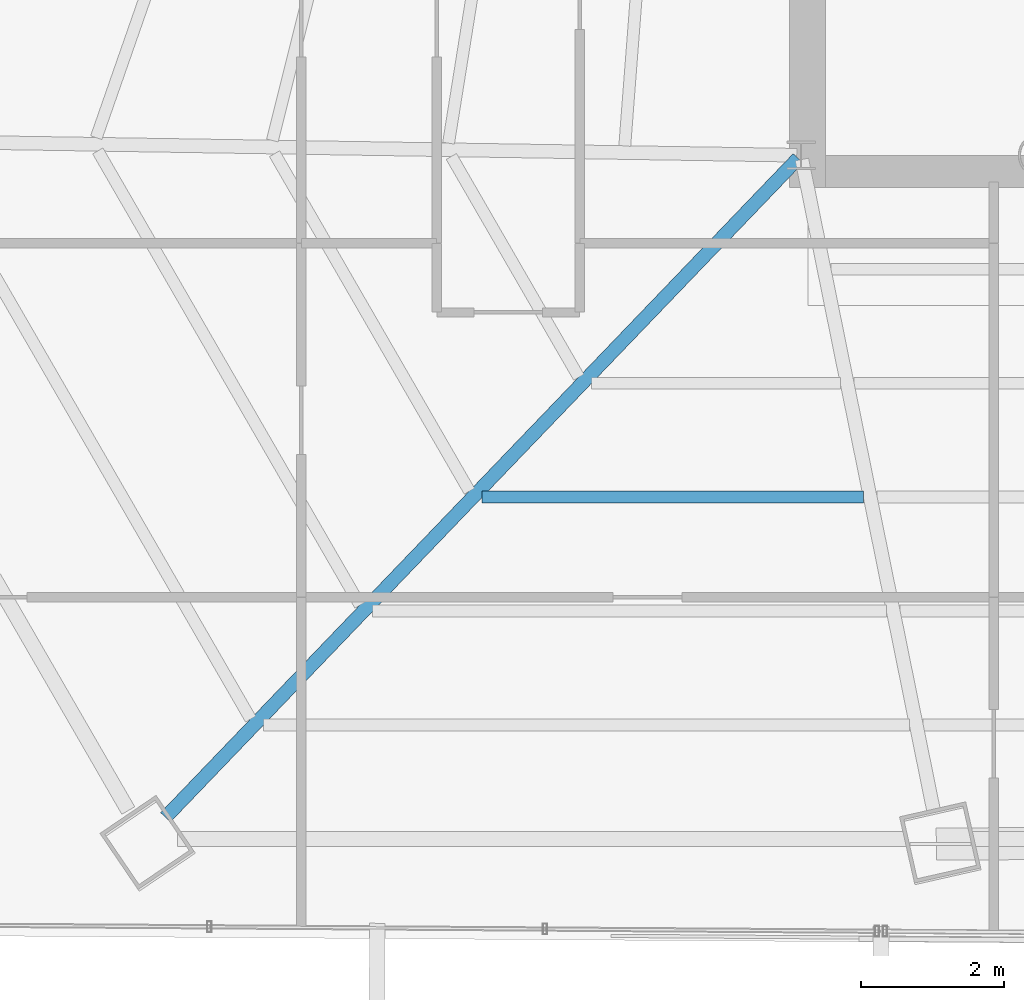
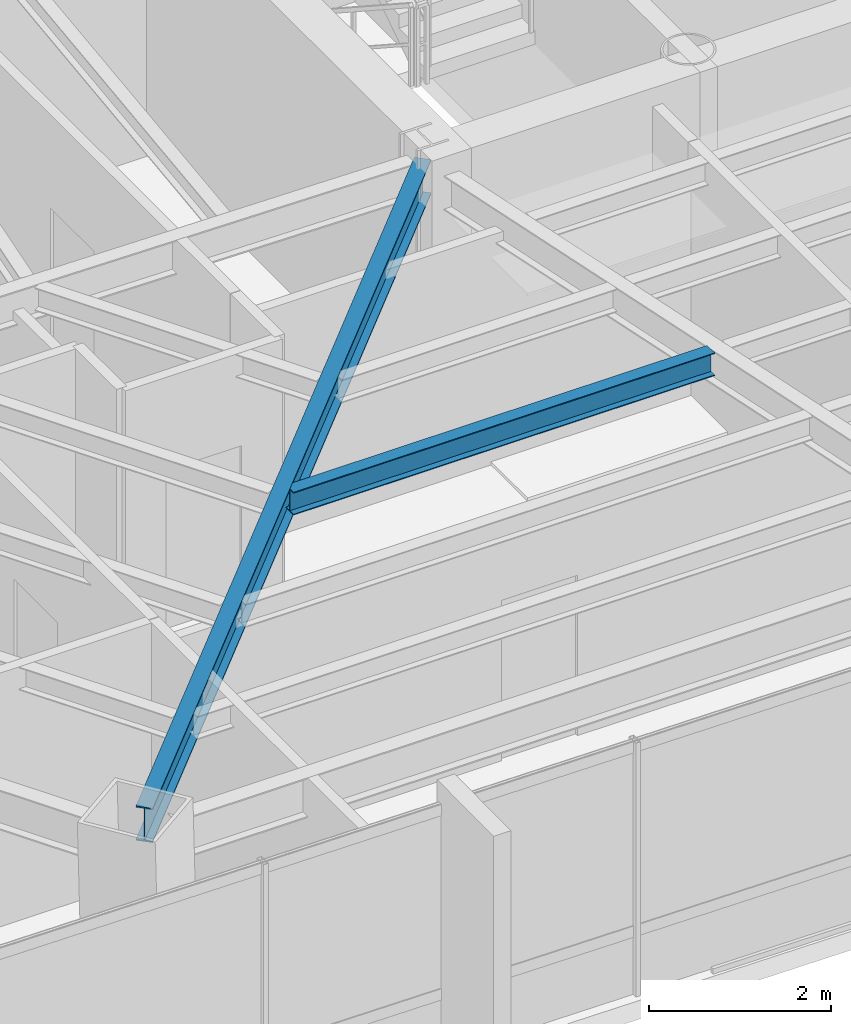
# One storey, part 5 of 40: 2 beams.
"""IFC4 building model written with IfcOpenShell, lengths in metres."""

from ifc_helpers import new_model, si_unit, direction, frame, origin, origin_2d, place, context, subcontext, project, spatial, i_section, extrude, source, transform, mapped, material, material_profile, profile_set, type_object, type_shapes, element, save


model = new_model("IFC4")

# Units and contexts
model_context = context("Model", 3, precision=1e-05, world=origin(), true_north=direction((0.0, 1.0)))
body_context = subcontext(model_context, "Body", "Model", "MODEL_VIEW")
ifc_project = project(units=[si_unit("LENGTHUNIT", "METRE"), si_unit("AREAUNIT", "SQUARE_METRE"), si_unit("VOLUMEUNIT", "CUBIC_METRE"), si_unit("PLANEANGLEUNIT", "RADIAN"), si_unit("MASSUNIT", "GRAM", prefix="KILO")], contexts=[model_context])

# Site, building, storey
site_placement = place(None, origin())
site = spatial("IfcSite", under=ifc_project, at=site_placement, CompositionType="ELEMENT")
building_placement = place(site_placement, origin())
building = spatial("IfcBuilding", under=site, at=building_placement, Name="Caelisora Broadcast Tower", CompositionType="ELEMENT")
storey_placement = place(building_placement, frame((0.0, 0.0, 176.75)))
storey = spatial("IfcBuildingStorey", under=building, at=storey_placement, Name="L46", CompositionType="ELEMENT", Elevation=176.75)

# Beams
ifc_material = material(Name="Steel Grade 350 (AS/NZS 3679.1)", Category="steel")
ifc_material_profile_1 = material_profile(ifc_material, i_section(OverallWidth=0.19091796875, OverallDepth=0.46044921875, WebThickness=0.010009765625, FlangeThickness=0.01611328125, at=origin_2d()), Name="Steel Grade 350 (AS/NZS 3679.1)")
ifc_profile_set_1 = profile_set([ifc_material_profile_1], Name="Steel Grade 350 (AS/NZS 3679.1)")
beam_type_1 = type_object("IfcBeamType", Name="PG06", PredefinedType="BEAM", material=ifc_profile_set_1)
shared_shape_1 = source(origin(), body_context, "Body", "SweptSolid", [
    extrude(i_section(OverallWidth=0.19091796875, OverallDepth=0.46044921875, WebThickness=0.010009765625, FlangeThickness=0.01611328125, at=origin_2d()), origin(), (0.0, 0.0, 1.0), 12.790771484375),
])
type_shapes(beam_type_1, [shared_shape_1])
beam_1_placement = place(storey_placement, frame((30.45849609375, 17.356689453125, 3.169921875), z_axis=(-0.692529444246, -0.721389609609, 0.0), x_axis=(0.721389609609, -0.692529444246, 0.0)))
element("IfcBeam", 1, at=beam_1_placement, inside=storey, type_object=beam_type_1, Name="L46 beam PG06", PredefinedType="BEAM", context=body_context, shape_type="MappedRepresentation", body=[
    mapped(shared_shape_1, transform((0.0, 0.0, 0.0), scale=1.0)),
])
ifc_material_profile_2 = material_profile(ifc_material, i_section(OverallWidth=0.166015625, OverallDepth=0.30712890625, WebThickness=0.006591796875, FlangeThickness=0.01171875, at=origin_2d()), Name="Steel Grade 350 (AS/NZS 3679.1)")
ifc_profile_set_2 = profile_set([ifc_material_profile_2], Name="Steel Grade 350 (AS/NZS 3679.1)")
beam_type_2 = type_object("IfcBeamType", Name="SB03", PredefinedType="JOIST", material=ifc_profile_set_2)
shared_shape_2 = source(origin(), body_context, "Body", "SweptSolid", [
    extrude(i_section(OverallWidth=0.166015625, OverallDepth=0.30712890625, WebThickness=0.006591796875, FlangeThickness=0.01171875, at=origin_2d()), origin(), (0.0, 0.0, 1.0), 5.339599609375),
])
type_shapes(beam_type_2, [shared_shape_2])
beam_2_placement = place(storey_placement, frame((26.0341796875, 12.61328125, 3.246337890625), z_axis=(1.0, 0.0, 0.0), x_axis=(0.0, 1.0, 0.0)))
element("IfcBeam", 2, at=beam_2_placement, inside=storey, type_object=beam_type_2, Name="L46 beam SB03", PredefinedType="JOIST", context=body_context, shape_type="MappedRepresentation", body=[
    mapped(shared_shape_2, transform((0.0, 0.0, 0.0), scale=1.0)),
])

save(model, "model.ifc")
